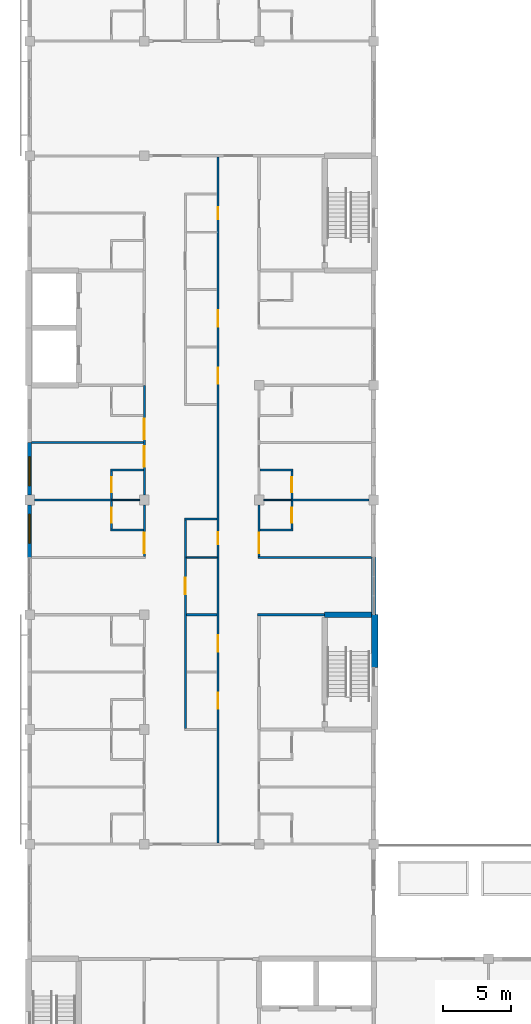
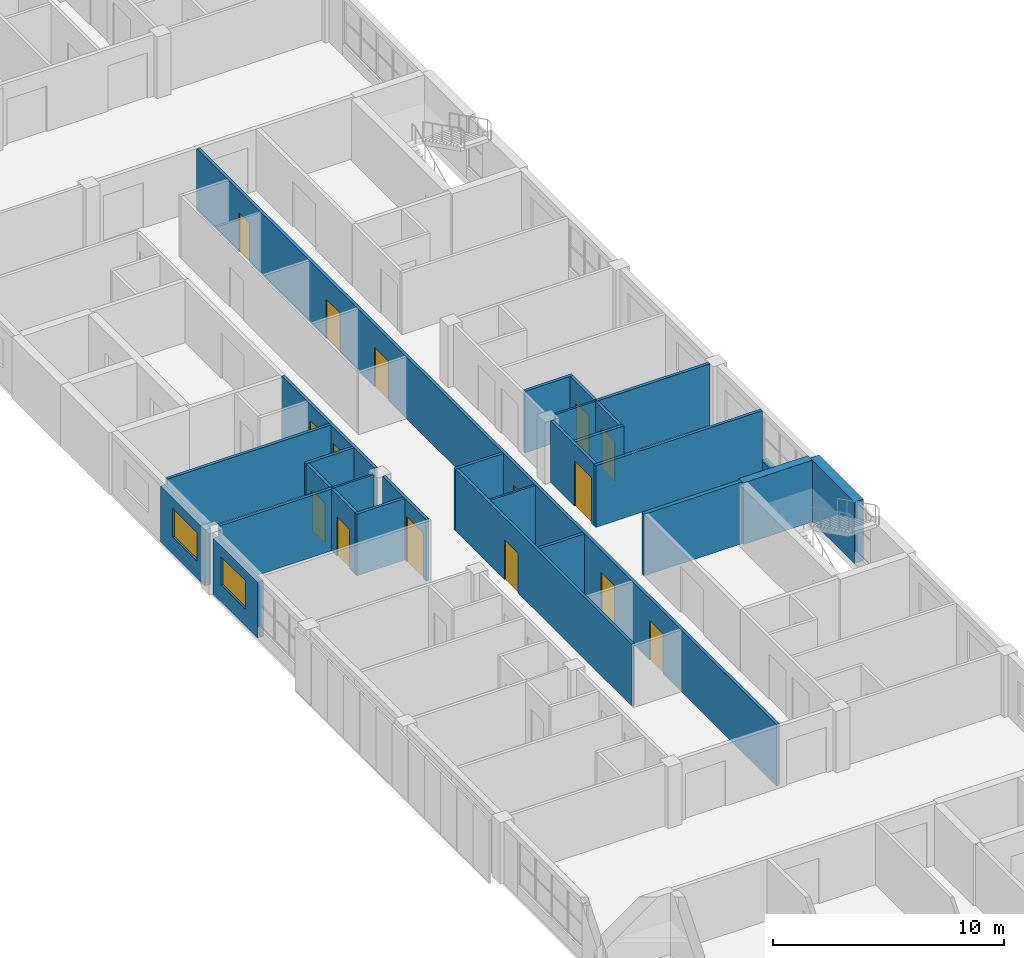
# One storey, part 32 of 61: 28 walls, 15 doors, 2 windows, 17 openings.
"""IFC4 building model written with IfcOpenShell, lengths in metres."""

from ifc_helpers import new_model, si_unit, direction, frame, frame_2d, origin, place, context, subcontext, project, spatial, rectangle, extrude, material, layer, layer_set, type_object, element, fill, save


model = new_model("IFC4")

# Units and contexts
model_context = context("Model", 3, precision=1e-05, world=origin(), true_north=direction((0.0, 1.0)))
body_context = subcontext(model_context, "Body", "Model", "MODEL_VIEW")
ifc_project = project(units=[si_unit("LENGTHUNIT", "METRE"), si_unit("AREAUNIT", "SQUARE_METRE"), si_unit("VOLUMEUNIT", "CUBIC_METRE"), si_unit("PLANEANGLEUNIT", "RADIAN"), si_unit("MASSUNIT", "GRAM", prefix="KILO")], contexts=[model_context])

# Site, building, storey
site_placement = place(None, origin())
site = spatial("IfcSite", under=ifc_project, at=site_placement, CompositionType="ELEMENT")
building_placement = place(site_placement, origin())
building = spatial("IfcBuilding", under=site, at=building_placement, Name="Yavir Park General Hospital", CompositionType="ELEMENT")
storey_placement = place(building_placement, frame((0.0, 0.0, 15.300048828125)))
storey = spatial("IfcBuildingStorey", under=building, at=storey_placement, Name="L03", CompositionType="ELEMENT", Elevation=15.300048828125)

# Walls
ifc_material_1 = material(Name="Double gypsum board fire partition on steel studs", Category="steel")
ifc_layer_1 = layer(ifc_material_1, 0.199951171875)
ifc_layer_set_1 = layer_set([ifc_layer_1], Name="Double gypsum board fire partition on steel studs")
wall_type_1 = type_object("IfcWallType", Name="Fire-rated partition 200, EI 60", PredefinedType="PARTITIONING", material=ifc_layer_set_1)
wall_1_placement = place(storey_placement, frame((16.699951171875, 50.39990234375, 0.0), z_axis=(0.0, 0.0, 1.0), x_axis=(1.0, 0.0, 0.0)))
element("IfcWall", 1, at=wall_1_placement, inside=storey, type_object=wall_type_1, Name="FP20 L03-083", PredefinedType="PARTITIONING", context=body_context, shape_type="SweptSolid", body=[
    extrude(rectangle(XDim=4.900146484375, YDim=0.199951171875, at=frame_2d((2.4501953125, 0.0))), origin(), (0.0, 0.0, 1.0), 3.260009765625),
])
ifc_material_2 = material(Name="Gypsum board partition on steel studs", Category="steel")
ifc_layer_2 = layer(ifc_material_2, 0.10009765625)
ifc_layer_set_2 = layer_set([ifc_layer_2], Name="Gypsum board partition on steel studs")
wall_type_2 = type_object("IfcWallType", Name="Gypsum board partition 100", PredefinedType="PARTITIONING", material=ifc_layer_set_2)
wall_2_placement = place(storey_placement, frame((11.47509765625, 54.60009765625, 0.0), z_axis=(0.0, 0.0, 1.0), x_axis=(1.0, 0.0, 0.0)))
element("IfcWall", 2, at=wall_2_placement, inside=storey, type_object=wall_type_2, Name="P10 L03-086", PredefinedType="PARTITIONING", context=body_context, shape_type="SweptSolid", body=[
    extrude(rectangle(XDim=2.25, YDim=0.10009765625, at=frame_2d((1.125, 0.0))), origin(), (0.0, 0.0, 1.0), 3.260009765625),
])
for number, where, z_axis, x_axis, name in (
    (3, (6.0, 58.800048828125, 0.0), (0.0, 0.0, 1.0), (1.0, 0.0, 0.0), "P10 L03-092"),
    (4, (17.14990234375, 58.800048828125, 0.0), (0.0, 0.0, 1.0), (1.0, 0.0, 0.0), "P10 L03-093"),
):
    element("IfcWall", number, at=place(storey_placement, frame(where, z_axis=z_axis, x_axis=x_axis)), inside=storey, type_object=wall_type_2, Name=name, PredefinedType="PARTITIONING", context=body_context, shape_type="SweptSolid", body=[
        extrude(rectangle(XDim=2.050048828125, YDim=0.10009765625, at=frame_2d((1.02490234375, 0.0))), origin(), (0.0, 0.0, 1.0), 3.260009765625),
    ])
ifc_material_3 = material(Name="Gypsum board partition on steel studs", Category="steel")
ifc_layer_3 = layer(ifc_material_3, 0.14990234375)
ifc_layer_set_3 = layer_set([ifc_layer_3], Name="Gypsum board partition on steel studs")
wall_type_3 = type_object("IfcWallType", Name="Gypsum board partition 150", PredefinedType="PARTITIONING", material=ifc_layer_set_3)
wall_3_placement = place(storey_placement, frame((11.47509765625, 50.39990234375, 0.0), z_axis=(0.0, 0.0, 1.0), x_axis=(1.0, 0.0, 0.0)))
element("IfcWall", 5, at=wall_3_placement, inside=storey, type_object=wall_type_3, Name="P15 L03-082", PredefinedType="PARTITIONING", context=body_context, shape_type="SweptSolid", body=[
    extrude(rectangle(XDim=2.25, YDim=0.14990234375, at=frame_2d((1.125, 0.0))), origin(), (0.0, 0.0, 1.0), 3.260009765625),
])
wall_4_placement = place(storey_placement, frame((16.72509765625, 54.60009765625, 0.0), z_axis=(0.0, 0.0, 1.0), x_axis=(1.0, 0.0, 0.0)))
element("IfcWall", 6, at=wall_4_placement, inside=storey, type_object=wall_type_3, Name="P15 L03-087", PredefinedType="PARTITIONING", context=body_context, shape_type="SweptSolid", body=[
    extrude(rectangle(XDim=8.324951171875, YDim=0.14990234375, at=frame_2d((4.16259765625, 0.0))), origin(), (0.0, 0.0, 1.0), 3.260009765625),
])
for number, where, z_axis, x_axis, name in (
    (7, (5.925048828125, 56.60009765625, 0.0), (0.0, 0.0, 1.0), (1.0, 0.0, 0.0), "P15 L03-088"),
    (8, (16.875, 56.60009765625, 0.0), (0.0, 0.0, 1.0), (1.0, 0.0, 0.0), "P15 L03-089"),
):
    element("IfcWall", number, at=place(storey_placement, frame(where, z_axis=z_axis, x_axis=x_axis)), inside=storey, type_object=wall_type_3, Name=name, PredefinedType="PARTITIONING", context=body_context, shape_type="SweptSolid", body=[
        extrude(rectangle(XDim=2.39990234375, YDim=0.14990234375, at=frame_2d((1.199951171875, 0.0))), origin(), (0.0, 0.0, 1.0), 3.260009765625),
    ])
wall_5_placement = place(storey_placement, frame((11.324951171875, 57.39990234375, 0.0), z_axis=(0.0, 0.0, 1.0), x_axis=(1.0, 0.0, 0.0)))
element("IfcWall", 9, at=wall_5_placement, inside=storey, type_object=wall_type_3, Name="P15 L03-090", PredefinedType="PARTITIONING", context=body_context, shape_type="SweptSolid", body=[
    extrude(rectangle(XDim=2.400146484375, YDim=0.14990234375, at=frame_2d((1.2001953125, 0.0))), origin(), (0.0, 0.0, 1.0), 3.260009765625),
])
wall_6_placement = place(storey_placement, frame((0.35009765625, 58.800048828125, 0.0), z_axis=(0.0, 0.0, 1.0), x_axis=(1.0, 0.0, 0.0)))
element("IfcWall", 10, at=wall_6_placement, inside=storey, type_object=wall_type_3, Name="P15 L03-091", PredefinedType="PARTITIONING", context=body_context, shape_type="SweptSolid", body=[
    extrude(rectangle(XDim=5.64990234375, YDim=0.14990234375, at=frame_2d((2.824951171875, 0.0))), origin(), (0.0, 0.0, 1.0), 3.260009765625),
])
wall_7_placement = place(storey_placement, frame((19.199951171875, 58.800048828125, 0.0), z_axis=(0.0, 0.0, 1.0), x_axis=(1.0, 0.0, 0.0)))
element("IfcWall", 11, at=wall_7_placement, inside=storey, type_object=wall_type_3, Name="P15 L03-094", PredefinedType="PARTITIONING", context=body_context, shape_type="SweptSolid", body=[
    extrude(rectangle(XDim=5.650146484375, YDim=0.14990234375, at=frame_2d((2.8251953125, 0.0))), origin(), (0.0, 0.0, 1.0), 3.260009765625),
])
for number, where, z_axis, x_axis, name in (
    (12, (5.925048828125, 61.0, 0.0), (0.0, 0.0, 1.0), (1.0, 0.0, 0.0), "P15 L03-095"),
    (13, (16.875, 61.0, 0.0), (0.0, 0.0, 1.0), (1.0, 0.0, 0.0), "P15 L03-096"),
):
    element("IfcWall", number, at=place(storey_placement, frame(where, z_axis=z_axis, x_axis=x_axis)), inside=storey, type_object=wall_type_3, Name=name, PredefinedType="PARTITIONING", context=body_context, shape_type="SweptSolid", body=[
        extrude(rectangle(XDim=2.39990234375, YDim=0.14990234375, at=frame_2d((1.199951171875, 0.0))), origin(), (0.0, 0.0, 1.0), 3.260009765625),
    ])
wall_8_placement = place(storey_placement, frame((0.14990234375, 63.0, 0.0), z_axis=(0.0, 0.0, 1.0), x_axis=(1.0, 0.0, 0.0)))
element("IfcWall", 14, at=wall_8_placement, inside=storey, type_object=wall_type_3, Name="P15 L03-097", PredefinedType="PARTITIONING", context=body_context, shape_type="SweptSolid", body=[
    extrude(rectangle(XDim=8.175048828125, YDim=0.14990234375, at=frame_2d((4.08740234375, 0.0))), origin(), (0.0, 0.0, 1.0), 3.260009765625),
])

# Wall, opening, door
wall_9_placement = place(storey_placement, frame((6.0, 56.675048828125, 0.0), z_axis=(0.0, 0.0, 1.0), x_axis=(0.0, 1.0, 0.0)))
wall_9 = element("IfcWall", 15, at=wall_9_placement, inside=storey, type_object=wall_type_3, Name="P15 L03-155", PredefinedType="PARTITIONING", context=body_context, shape_type="SweptSolid", body=[
    extrude(rectangle(XDim=2.050048828125, YDim=0.14990234375, at=frame_2d((1.02490234375, 0.0))), origin(), (0.0, 0.0, 1.0), 3.260009765625),
])
opening_1_placement = place(wall_9_placement, frame((0.47509765625, 0.0, 0.0)))
opening_1 = element("IfcOpeningElement", 16, at=opening_1_placement, cuts=wall_9, Name="Opening L03.D097", PredefinedType="OPENING", context=body_context, shape_type="SweptSolid", body=[
    extrude(rectangle(XDim=1.10009765625, YDim=2.10009765625, at=frame_2d((0.550048828125, 1.050048828125))), frame((0.0, 0.0849609375, 0.0), z_axis=(0.0, -1.0, 0.0), x_axis=(1.0, 0.0, 0.0)), (0.0, 0.0, 1.0), 0.169921875),
])
ifc_material_4 = material(Name="Hollow metal frame, solid-core timber leaf", Category="wood")
door_type_1 = type_object("IfcDoorType", Name="Single swing door 1100 x 2100", OperationType="SINGLE_SWING_LEFT", PredefinedType="DOOR", material=ifc_material_4)
door_1_placement = place(opening_1_placement, origin())
door_1 = element("IfcDoor", 17, at=door_1_placement, inside=storey, type_object=door_type_1, Name="L03.D097", OperationType="SINGLE_SWING_LEFT", OverallHeight=2.10009765625, OverallWidth=1.10009765625, PredefinedType="DOOR", context=body_context, shape_type="SweptSolid", body=[
    extrude(rectangle(XDim=1.10009765625, YDim=2.10009765625, at=frame_2d((0.550048828125, 1.050048828125))), frame((0.0, 0.02490234375, 0.0), z_axis=(0.0, -1.0, 0.0), x_axis=(1.0, 0.0, 0.0)), (0.0, 0.0, 1.0), 0.050048828125),
])
fill(opening_1, door_1)

wall_10_placement = place(storey_placement, frame((6.0, 58.875, 0.0), z_axis=(0.0, 0.0, 1.0), x_axis=(0.0, 1.0, 0.0)))
wall_10 = element("IfcWall", 18, at=wall_10_placement, inside=storey, type_object=wall_type_3, Name="P15 L03-156", PredefinedType="PARTITIONING", context=body_context, shape_type="SweptSolid", body=[
    extrude(rectangle(XDim=2.050048828125, YDim=0.14990234375, at=frame_2d((1.02490234375, 0.0))), origin(), (0.0, 0.0, 1.0), 3.260009765625),
])
opening_2_placement = place(wall_10_placement, frame((0.47509765625, 0.0, 0.0)))
opening_2 = element("IfcOpeningElement", 19, at=opening_2_placement, cuts=wall_10, Name="Opening L03.D098", PredefinedType="OPENING", context=body_context, shape_type="SweptSolid", body=[
    extrude(rectangle(XDim=1.10009765625, YDim=2.10009765625, at=frame_2d((0.550048828125, 1.050048828125))), frame((0.0, 0.0849609375, 0.0), z_axis=(0.0, -1.0, 0.0), x_axis=(1.0, 0.0, 0.0)), (0.0, 0.0, 1.0), 0.169921875),
])
door_2_placement = place(opening_2_placement, origin())
door_2 = element("IfcDoor", 20, at=door_2_placement, inside=storey, type_object=door_type_1, Name="L03.D098", OperationType="SINGLE_SWING_RIGHT", OverallHeight=2.10009765625, OverallWidth=1.10009765625, PredefinedType="DOOR", context=body_context, shape_type="SweptSolid", body=[
    extrude(rectangle(XDim=1.10009765625, YDim=2.10009765625, at=frame_2d((0.550048828125, 1.050048828125))), frame((0.0, 0.02490234375, 0.0), z_axis=(0.0, -1.0, 0.0), x_axis=(1.0, 0.0, 0.0)), (0.0, 0.0, 1.0), 0.050048828125),
])
fill(opening_2, door_2)

wall_11_placement = place(storey_placement, frame((8.39990234375, 54.675048828125, 0.0), z_axis=(0.0, 0.0, 1.0), x_axis=(0.0, 1.0, 0.0)))
wall_11 = element("IfcWall", 21, at=wall_11_placement, inside=storey, type_object=wall_type_3, Name="P15 L03-170", PredefinedType="PARTITIONING", context=body_context, shape_type="SweptSolid", body=[
    extrude(rectangle(XDim=3.77490234375, YDim=0.14990234375, at=frame_2d((1.887451171875, 0.0))), origin(), (0.0, 0.0, 1.0), 3.260009765625),
])
opening_3_placement = place(wall_11_placement, frame((0.21240234375, 0.0, 0.0)))
opening_3 = element("IfcOpeningElement", 22, at=opening_3_placement, cuts=wall_11, Name="Opening L03.D109", PredefinedType="OPENING", context=body_context, shape_type="SweptSolid", body=[
    extrude(rectangle(XDim=1.5, YDim=2.39990234375, at=frame_2d((0.75, 1.199951171875))), frame((0.0, 0.0849609375, 0.0), z_axis=(0.0, -1.0, 0.0), x_axis=(1.0, 0.0, 0.0)), (0.0, 0.0, 1.0), 0.169921875),
])
ifc_material_5 = material(Name="Solid-core timber leaves, push plates, kick plates", Category="wood")
door_type_2 = type_object("IfcDoorType", Name="Bed door, unequal leaves 1500 x 2400", OperationType="DOUBLE_DOOR_SINGLE_SWING", PredefinedType="DOOR", material=ifc_material_5)
door_3_placement = place(opening_3_placement, origin())
door_3 = element("IfcDoor", 23, at=door_3_placement, inside=storey, type_object=door_type_2, Name="L03.D109", OperationType="SINGLE_SWING_LEFT", OverallHeight=2.39990234375, OverallWidth=1.5, PredefinedType="DOOR", context=body_context, shape_type="SweptSolid", body=[
    extrude(rectangle(XDim=1.5, YDim=2.39990234375, at=frame_2d((0.75, 1.199951171875))), frame((0.0, 0.030029296875, 0.0), z_axis=(0.0, -1.0, 0.0), x_axis=(1.0, 0.0, 0.0)), (0.0, 0.0, 1.0), 0.06005859375),
])
fill(opening_3, door_3)

# Wall, openings, doors
wall_12_placement = place(storey_placement, frame((8.39990234375, 59.14990234375, 0.0), z_axis=(0.0, 0.0, 1.0), x_axis=(0.0, 1.0, 0.0)))
wall_12 = element("IfcWall", 24, at=wall_12_placement, inside=storey, type_object=wall_type_3, Name="P15 L03-171", PredefinedType="PARTITIONING", context=body_context, shape_type="SweptSolid", body=[
    extrude(rectangle(XDim=8.050048828125, YDim=0.14990234375, at=frame_2d((4.02490234375, 0.0))), origin(), (0.0, 0.0, 1.0), 3.260009765625),
])
opening_4_placement = place(wall_12_placement, frame((2.10009765625, 0.0, 0.0)))
opening_4 = element("IfcOpeningElement", 25, at=opening_4_placement, cuts=wall_12, Name="Opening L03.D110", PredefinedType="OPENING", context=body_context, shape_type="SweptSolid", body=[
    extrude(rectangle(XDim=1.5, YDim=2.39990234375, at=frame_2d((0.75, 1.199951171875))), frame((0.0, 0.0849609375, 0.0), z_axis=(0.0, -1.0, 0.0), x_axis=(1.0, 0.0, 0.0)), (0.0, 0.0, 1.0), 0.169921875),
])
opening_5_placement = place(wall_12_placement, frame((4.10009765625, 0.0, 0.0)))
opening_5 = element("IfcOpeningElement", 26, at=opening_5_placement, cuts=wall_12, Name="Opening L03.D111", PredefinedType="OPENING", context=body_context, shape_type="SweptSolid", body=[
    extrude(rectangle(XDim=1.5, YDim=2.39990234375, at=frame_2d((0.75, 1.199951171875))), frame((0.0, 0.0849609375, 0.0), z_axis=(0.0, -1.0, 0.0), x_axis=(1.0, 0.0, 0.0)), (0.0, 0.0, 1.0), 0.169921875),
])
door_4_placement = place(opening_4_placement, origin())
door_4 = element("IfcDoor", 27, at=door_4_placement, inside=storey, type_object=door_type_2, Name="L03.D110", OperationType="SINGLE_SWING_RIGHT", OverallHeight=2.39990234375, OverallWidth=1.5, PredefinedType="DOOR", context=body_context, shape_type="SweptSolid", body=[
    extrude(rectangle(XDim=1.5, YDim=2.39990234375, at=frame_2d((0.75, 1.199951171875))), frame((0.0, 0.030029296875, 0.0), z_axis=(0.0, -1.0, 0.0), x_axis=(1.0, 0.0, 0.0)), (0.0, 0.0, 1.0), 0.06005859375),
])
fill(opening_4, door_4)
door_5_placement = place(opening_5_placement, origin())
door_5 = element("IfcDoor", 28, at=door_5_placement, inside=storey, type_object=door_type_2, Name="L03.D111", OperationType="SINGLE_SWING_RIGHT", OverallHeight=2.39990234375, OverallWidth=1.5, PredefinedType="DOOR", context=body_context, shape_type="SweptSolid", body=[
    extrude(rectangle(XDim=1.5, YDim=2.39990234375, at=frame_2d((0.75, 1.199951171875))), frame((0.0, 0.030029296875, 0.0), z_axis=(0.0, -1.0, 0.0), x_axis=(1.0, 0.0, 0.0)), (0.0, 0.0, 1.0), 0.06005859375),
])
fill(opening_5, door_5)

# Wall, opening, door
wall_13_placement = place(storey_placement, frame((11.39990234375, 42.074951171875, 0.0), z_axis=(0.0, 0.0, 1.0), x_axis=(0.0, 1.0, 0.0)))
wall_13 = element("IfcWall", 29, at=wall_13_placement, inside=storey, type_object=wall_type_3, Name="P15 L03-179", PredefinedType="PARTITIONING", context=body_context, shape_type="SweptSolid", body=[
    extrude(rectangle(XDim=15.25, YDim=0.14990234375, at=frame_2d((7.625, 0.0))), origin(), (0.0, 0.0, 1.0), 3.260009765625),
])
opening_6_placement = place(wall_13_placement, frame((9.824951171875, 0.0, 0.0)))
opening_6 = element("IfcOpeningElement", 30, at=opening_6_placement, cuts=wall_13, Name="Opening L03.D119", PredefinedType="OPENING", context=body_context, shape_type="SweptSolid", body=[
    extrude(rectangle(XDim=1.199951171875, YDim=2.10009765625, at=frame_2d((0.60009765625, 1.050048828125))), frame((0.0, 0.0849609375, 0.0), z_axis=(0.0, -1.0, 0.0), x_axis=(1.0, 0.0, 0.0)), (0.0, 0.0, 1.0), 0.169921875),
])
ifc_material_6 = material(Name="Hollow metal frame, solid-core timber leaf", Category="wood")
door_type_3 = type_object("IfcDoorType", Name="Single swing door 1200 x 2100", OperationType="SINGLE_SWING_LEFT", PredefinedType="DOOR", material=ifc_material_6)
door_6_placement = place(opening_6_placement, origin())
door_6 = element("IfcDoor", 31, at=door_6_placement, inside=storey, type_object=door_type_3, Name="L03.D119", OperationType="SINGLE_SWING_LEFT", OverallHeight=2.10009765625, OverallWidth=1.199951171875, PredefinedType="DOOR", context=body_context, shape_type="SweptSolid", body=[
    extrude(rectangle(XDim=1.199951171875, YDim=2.10009765625, at=frame_2d((0.60009765625, 1.050048828125))), frame((0.0, 0.02490234375, 0.0), z_axis=(0.0, -1.0, 0.0), x_axis=(1.0, 0.0, 0.0)), (0.0, 0.0, 1.0), 0.050048828125),
])
fill(opening_6, door_6)

# Wall, openings, doors
wall_14_placement = place(storey_placement, frame((13.800048828125, 33.699951171875, 0.0), z_axis=(0.0, 0.0, 1.0), x_axis=(0.0, 1.0, 0.0)))
wall_14 = element("IfcWall", 32, at=wall_14_placement, inside=storey, type_object=wall_type_3, Name="P15 L03-184", PredefinedType="PARTITIONING", context=body_context, shape_type="SweptSolid", body=[
    extrude(rectangle(XDim=50.199951171875, YDim=0.14990234375, at=frame_2d((25.10009765625, 0.0))), origin(), (0.0, 0.0, 1.0), 3.260009765625),
])
opening_7_placement = place(wall_14_placement, frame((9.800048828125, 0.0, 0.0)))
opening_7 = element("IfcOpeningElement", 33, at=opening_7_placement, cuts=wall_14, Name="Opening L03.D123", PredefinedType="OPENING", context=body_context, shape_type="SweptSolid", body=[
    extrude(rectangle(XDim=1.199951171875, YDim=2.10009765625, at=frame_2d((0.60009765625, 1.050048828125))), frame((0.0, 0.0849609375, 0.0), z_axis=(0.0, -1.0, 0.0), x_axis=(1.0, 0.0, 0.0)), (0.0, 0.0, 1.0), 0.169921875),
])
opening_8_placement = place(wall_14_placement, frame((14.0, 0.0, 0.0)))
opening_8 = element("IfcOpeningElement", 34, at=opening_8_placement, cuts=wall_14, Name="Opening L03.D124", PredefinedType="OPENING", context=body_context, shape_type="SweptSolid", body=[
    extrude(rectangle(XDim=1.199951171875, YDim=2.10009765625, at=frame_2d((0.60009765625, 1.050048828125))), frame((0.0, 0.0849609375, 0.0), z_axis=(0.0, -1.0, 0.0), x_axis=(1.0, 0.0, 0.0)), (0.0, 0.0, 1.0), 0.169921875),
])
opening_9_placement = place(wall_14_placement, frame((21.85009765625, 0.0, 0.0)))
opening_9 = element("IfcOpeningElement", 35, at=opening_9_placement, cuts=wall_14, Name="Opening L03.D125", PredefinedType="OPENING", context=body_context, shape_type="SweptSolid", body=[
    extrude(rectangle(XDim=0.89990234375, YDim=2.10009765625, at=frame_2d((0.449951171875, 1.050048828125))), frame((0.0, 0.0849609375, 0.0), z_axis=(0.0, -1.0, 0.0), x_axis=(1.0, 0.0, 0.0)), (0.0, 0.0, 1.0), 0.169921875),
])
opening_10_placement = place(wall_14_placement, frame((33.60009765625, 0.0, 0.0)))
opening_10 = element("IfcOpeningElement", 36, at=opening_10_placement, cuts=wall_14, Name="Opening L03.D126", PredefinedType="OPENING", context=body_context, shape_type="SweptSolid", body=[
    extrude(rectangle(XDim=1.199951171875, YDim=2.10009765625, at=frame_2d((0.60009765625, 1.050048828125))), frame((0.0, 0.0849609375, 0.0), z_axis=(0.0, -1.0, 0.0), x_axis=(1.0, 0.0, 0.0)), (0.0, 0.0, 1.0), 0.169921875),
])
opening_11_placement = place(wall_14_placement, frame((37.800048828125, 0.0, 0.0)))
opening_11 = element("IfcOpeningElement", 37, at=opening_11_placement, cuts=wall_14, Name="Opening L03.D127", PredefinedType="OPENING", context=body_context, shape_type="SweptSolid", body=[
    extrude(rectangle(XDim=1.199951171875, YDim=2.10009765625, at=frame_2d((0.60009765625, 1.050048828125))), frame((0.0, 0.0849609375, 0.0), z_axis=(0.0, -1.0, 0.0), x_axis=(1.0, 0.0, 0.0)), (0.0, 0.0, 1.0), 0.169921875),
])
opening_12_placement = place(wall_14_placement, frame((45.64990234375, 0.0, 0.0)))
opening_12 = element("IfcOpeningElement", 38, at=opening_12_placement, cuts=wall_14, Name="Opening L03.D128", PredefinedType="OPENING", context=body_context, shape_type="SweptSolid", body=[
    extrude(rectangle(XDim=0.89990234375, YDim=2.10009765625, at=frame_2d((0.449951171875, 1.050048828125))), frame((0.0, 0.0849609375, 0.0), z_axis=(0.0, -1.0, 0.0), x_axis=(1.0, 0.0, 0.0)), (0.0, 0.0, 1.0), 0.169921875),
])
ifc_material_7 = material(Name="Timber frame, hollow-core leaf", Category="wood")
door_type_4 = type_object("IfcDoorType", Name="Light cupboard door 900 x 2100", OperationType="SINGLE_SWING_LEFT", PredefinedType="DOOR", material=ifc_material_7)
door_7_placement = place(opening_9_placement, origin())
door_7 = element("IfcDoor", 39, at=door_7_placement, inside=storey, type_object=door_type_4, Name="L03.D125", OperationType="SINGLE_SWING_RIGHT", OverallHeight=2.10009765625, OverallWidth=0.89990234375, PredefinedType="DOOR", context=body_context, shape_type="SweptSolid", body=[
    extrude(rectangle(XDim=0.89990234375, YDim=2.10009765625, at=frame_2d((0.449951171875, 1.050048828125))), frame((0.0, 0.02001953125, 0.0), z_axis=(0.0, -1.0, 0.0), x_axis=(1.0, 0.0, 0.0)), (0.0, 0.0, 1.0), 0.0400390625),
])
fill(opening_9, door_7)
door_8_placement = place(opening_12_placement, origin())
door_8 = element("IfcDoor", 40, at=door_8_placement, inside=storey, type_object=door_type_4, Name="L03.D128", OperationType="SINGLE_SWING_RIGHT", OverallHeight=2.10009765625, OverallWidth=0.89990234375, PredefinedType="DOOR", context=body_context, shape_type="SweptSolid", body=[
    extrude(rectangle(XDim=0.89990234375, YDim=2.10009765625, at=frame_2d((0.449951171875, 1.050048828125))), frame((0.0, 0.02001953125, 0.0), z_axis=(0.0, -1.0, 0.0), x_axis=(1.0, 0.0, 0.0)), (0.0, 0.0, 1.0), 0.0400390625),
])
fill(opening_12, door_8)
door_9_placement = place(opening_7_placement, origin())
door_9 = element("IfcDoor", 41, at=door_9_placement, inside=storey, type_object=door_type_3, Name="L03.D123", OperationType="SINGLE_SWING_RIGHT", OverallHeight=2.10009765625, OverallWidth=1.199951171875, PredefinedType="DOOR", context=body_context, shape_type="SweptSolid", body=[
    extrude(rectangle(XDim=1.199951171875, YDim=2.10009765625, at=frame_2d((0.60009765625, 1.050048828125))), frame((0.0, 0.02490234375, 0.0), z_axis=(0.0, -1.0, 0.0), x_axis=(1.0, 0.0, 0.0)), (0.0, 0.0, 1.0), 0.050048828125),
])
fill(opening_7, door_9)
door_10_placement = place(opening_8_placement, origin())
door_10 = element("IfcDoor", 42, at=door_10_placement, inside=storey, type_object=door_type_3, Name="L03.D124", OperationType="SINGLE_SWING_RIGHT", OverallHeight=2.10009765625, OverallWidth=1.199951171875, PredefinedType="DOOR", context=body_context, shape_type="SweptSolid", body=[
    extrude(rectangle(XDim=1.199951171875, YDim=2.10009765625, at=frame_2d((0.60009765625, 1.050048828125))), frame((0.0, 0.02490234375, 0.0), z_axis=(0.0, -1.0, 0.0), x_axis=(1.0, 0.0, 0.0)), (0.0, 0.0, 1.0), 0.050048828125),
])
fill(opening_8, door_10)
door_11_placement = place(opening_10_placement, origin())
door_11 = element("IfcDoor", 43, at=door_11_placement, inside=storey, type_object=door_type_3, Name="L03.D126", OperationType="SINGLE_SWING_RIGHT", OverallHeight=2.10009765625, OverallWidth=1.199951171875, PredefinedType="DOOR", context=body_context, shape_type="SweptSolid", body=[
    extrude(rectangle(XDim=1.199951171875, YDim=2.10009765625, at=frame_2d((0.60009765625, 1.050048828125))), frame((0.0, 0.02490234375, 0.0), z_axis=(0.0, -1.0, 0.0), x_axis=(1.0, 0.0, 0.0)), (0.0, 0.0, 1.0), 0.050048828125),
])
fill(opening_10, door_11)
door_12_placement = place(opening_11_placement, origin())
door_12 = element("IfcDoor", 44, at=door_12_placement, inside=storey, type_object=door_type_3, Name="L03.D127", OperationType="SINGLE_SWING_RIGHT", OverallHeight=2.10009765625, OverallWidth=1.199951171875, PredefinedType="DOOR", context=body_context, shape_type="SweptSolid", body=[
    extrude(rectangle(XDim=1.199951171875, YDim=2.10009765625, at=frame_2d((0.60009765625, 1.050048828125))), frame((0.0, 0.02490234375, 0.0), z_axis=(0.0, -1.0, 0.0), x_axis=(1.0, 0.0, 0.0)), (0.0, 0.0, 1.0), 0.050048828125),
])
fill(opening_11, door_12)

# Wall, opening, door
wall_15_placement = place(storey_placement, frame((16.800048828125, 54.675048828125, 0.0), z_axis=(0.0, 0.0, 1.0), x_axis=(0.0, 1.0, 0.0)))
wall_15 = element("IfcWall", 45, at=wall_15_placement, inside=storey, type_object=wall_type_3, Name="P15 L03-193", PredefinedType="PARTITIONING", context=body_context, shape_type="SweptSolid", body=[
    extrude(rectangle(XDim=3.77490234375, YDim=0.14990234375, at=frame_2d((1.887451171875, 0.0))), origin(), (0.0, 0.0, 1.0), 3.260009765625),
])
opening_13_placement = place(wall_15_placement, frame((0.21240234375, 0.0, 0.0)))
opening_13 = element("IfcOpeningElement", 46, at=opening_13_placement, cuts=wall_15, Name="Opening L03.D134", PredefinedType="OPENING", context=body_context, shape_type="SweptSolid", body=[
    extrude(rectangle(XDim=1.5, YDim=2.39990234375, at=frame_2d((0.75, 1.199951171875))), frame((0.0, 0.0849609375, 0.0), z_axis=(0.0, -1.0, 0.0), x_axis=(1.0, 0.0, 0.0)), (0.0, 0.0, 1.0), 0.169921875),
])
door_13_placement = place(opening_13_placement, origin())
door_13 = element("IfcDoor", 47, at=door_13_placement, inside=storey, type_object=door_type_2, Name="L03.D134", OperationType="SINGLE_SWING_RIGHT", OverallHeight=2.39990234375, OverallWidth=1.5, PredefinedType="DOOR", context=body_context, shape_type="SweptSolid", body=[
    extrude(rectangle(XDim=1.5, YDim=2.39990234375, at=frame_2d((0.75, 1.199951171875))), frame((0.0, 0.030029296875, 0.0), z_axis=(0.0, -1.0, 0.0), x_axis=(1.0, 0.0, 0.0)), (0.0, 0.0, 1.0), 0.06005859375),
])
fill(opening_13, door_13)

wall_16_placement = place(storey_placement, frame((19.199951171875, 56.675048828125, 0.0), z_axis=(0.0, 0.0, 1.0), x_axis=(0.0, 1.0, 0.0)))
wall_16 = element("IfcWall", 48, at=wall_16_placement, inside=storey, type_object=wall_type_3, Name="P15 L03-202", PredefinedType="PARTITIONING", context=body_context, shape_type="SweptSolid", body=[
    extrude(rectangle(XDim=2.050048828125, YDim=0.14990234375, at=frame_2d((1.02490234375, 0.0))), origin(), (0.0, 0.0, 1.0), 3.260009765625),
])
opening_14_placement = place(wall_16_placement, frame((0.47509765625, 0.0, 0.0)))
opening_14 = element("IfcOpeningElement", 49, at=opening_14_placement, cuts=wall_16, Name="Opening L03.D145", PredefinedType="OPENING", context=body_context, shape_type="SweptSolid", body=[
    extrude(rectangle(XDim=1.10009765625, YDim=2.10009765625, at=frame_2d((0.550048828125, 1.050048828125))), frame((0.0, 0.0849609375, 0.0), z_axis=(0.0, -1.0, 0.0), x_axis=(1.0, 0.0, 0.0)), (0.0, 0.0, 1.0), 0.169921875),
])
door_14_placement = place(opening_14_placement, origin())
door_14 = element("IfcDoor", 50, at=door_14_placement, inside=storey, type_object=door_type_1, Name="L03.D145", OperationType="SINGLE_SWING_RIGHT", OverallHeight=2.10009765625, OverallWidth=1.10009765625, PredefinedType="DOOR", context=body_context, shape_type="SweptSolid", body=[
    extrude(rectangle(XDim=1.10009765625, YDim=2.10009765625, at=frame_2d((0.550048828125, 1.050048828125))), frame((0.0, 0.02490234375, 0.0), z_axis=(0.0, -1.0, 0.0), x_axis=(1.0, 0.0, 0.0)), (0.0, 0.0, 1.0), 0.050048828125),
])
fill(opening_14, door_14)

wall_17_placement = place(storey_placement, frame((19.199951171875, 58.875, 0.0), z_axis=(0.0, 0.0, 1.0), x_axis=(0.0, 1.0, 0.0)))
wall_17 = element("IfcWall", 51, at=wall_17_placement, inside=storey, type_object=wall_type_3, Name="P15 L03-203", PredefinedType="PARTITIONING", context=body_context, shape_type="SweptSolid", body=[
    extrude(rectangle(XDim=2.050048828125, YDim=0.14990234375, at=frame_2d((1.02490234375, 0.0))), origin(), (0.0, 0.0, 1.0), 3.260009765625),
])
opening_15_placement = place(wall_17_placement, frame((0.47509765625, 0.0, 0.0)))
opening_15 = element("IfcOpeningElement", 52, at=opening_15_placement, cuts=wall_17, Name="Opening L03.D146", PredefinedType="OPENING", context=body_context, shape_type="SweptSolid", body=[
    extrude(rectangle(XDim=1.10009765625, YDim=2.10009765625, at=frame_2d((0.550048828125, 1.050048828125))), frame((0.0, 0.0849609375, 0.0), z_axis=(0.0, -1.0, 0.0), x_axis=(1.0, 0.0, 0.0)), (0.0, 0.0, 1.0), 0.169921875),
])
door_15_placement = place(opening_15_placement, origin())
door_15 = element("IfcDoor", 53, at=door_15_placement, inside=storey, type_object=door_type_1, Name="L03.D146", OperationType="SINGLE_SWING_LEFT", OverallHeight=2.10009765625, OverallWidth=1.10009765625, PredefinedType="DOOR", context=body_context, shape_type="SweptSolid", body=[
    extrude(rectangle(XDim=1.10009765625, YDim=2.10009765625, at=frame_2d((0.550048828125, 1.050048828125))), frame((0.0, 0.02490234375, 0.0), z_axis=(0.0, -1.0, 0.0), x_axis=(1.0, 0.0, 0.0)), (0.0, 0.0, 1.0), 0.050048828125),
])
fill(opening_15, door_15)

# Wall, opening, window
ifc_material_8 = material(Name="Autoclaved aerated block, mineral wool and ochre mineral render")
ifc_layer_4 = layer(ifc_material_8, 0.300048828125)
ifc_layer_set_4 = layer_set([ifc_layer_4], Name="Autoclaved aerated block, mineral wool and ochre mineral render")
wall_type_4 = type_object("IfcWallType", Name="Ochre render ward wall 300, E 30", PredefinedType="SOLIDWALL", material=ifc_layer_set_4)
wall_18_placement = place(storey_placement, frame((0.0, 54.60009765625, 0.0), z_axis=(0.0, 0.0, 1.0), x_axis=(0.0, 1.0, 0.0)))
wall_18 = element("IfcWall", 54, at=wall_18_placement, inside=storey, type_object=wall_type_4, Name="XW7 L03-108", PredefinedType="SOLIDWALL", context=body_context, shape_type="SweptSolid", body=[
    extrude(rectangle(XDim=3.849853515625, YDim=0.300048828125, at=frame_2d((1.9248046875, 0.0))), origin(), (0.0, 0.0, 1.0), 2.9599609375),
])
opening_16_placement = place(wall_18_placement, frame((1.050048828125, 0.0, 0.89990234375)))
opening_16 = element("IfcOpeningElement", 55, at=opening_16_placement, cuts=wall_18, Name="Opening WAR", PredefinedType="OPENING", context=body_context, shape_type="SweptSolid", body=[
    extrude(rectangle(XDim=2.10009765625, YDim=1.5, at=frame_2d((1.050048828125, 0.75))), frame((0.0, 0.159912109375, 0.0), z_axis=(0.0, -1.0, 0.0), x_axis=(1.0, 0.0, 0.0)), (0.0, 0.0, 1.0), 0.320068359375),
])
ifc_material_9 = material(Name="Aluminium frame, tilt-and-turn sash with opening restrictor, double glazed unit", Category="aluminium")
window_type = type_object("IfcWindowType", Name="Ward window, restricted opening 2100 x 1500", PartitioningType="DOUBLE_PANEL_VERTICAL", PredefinedType="WINDOW", material=ifc_material_9)
window_1_placement = place(opening_16_placement, origin())
window_1 = element("IfcWindow", 56, at=window_1_placement, inside=storey, type_object=window_type, Name="WAR L03-052", OverallHeight=1.5, OverallWidth=2.10009765625, PartitioningType="DOUBLE_PANEL_VERTICAL", PredefinedType="WINDOW", context=body_context, shape_type="SweptSolid", body=[
    extrude(rectangle(XDim=2.10009765625, YDim=1.5, at=frame_2d((1.050048828125, 0.75))), frame((0.0, 0.050048828125, 0.0), z_axis=(0.0, -1.0, 0.0), x_axis=(1.0, 0.0, 0.0)), (0.0, 0.0, 1.0), 0.10009765625),
])
fill(opening_16, window_1)

wall_19_placement = place(storey_placement, frame((0.0, 59.14990234375, 0.0), z_axis=(0.0, 0.0, 1.0), x_axis=(0.0, 1.0, 0.0)))
wall_19 = element("IfcWall", 57, at=wall_19_placement, inside=storey, type_object=wall_type_4, Name="XW7 L03-109", PredefinedType="SOLIDWALL", context=body_context, shape_type="SweptSolid", body=[
    extrude(rectangle(XDim=3.85009765625, YDim=0.300048828125, at=frame_2d((1.925048828125, 0.0))), origin(), (0.0, 0.0, 1.0), 2.9599609375),
])
opening_17_placement = place(wall_19_placement, frame((0.699951171875, 0.0, 0.89990234375)))
opening_17 = element("IfcOpeningElement", 58, at=opening_17_placement, cuts=wall_19, Name="Opening WAR", PredefinedType="OPENING", context=body_context, shape_type="SweptSolid", body=[
    extrude(rectangle(XDim=2.10009765625, YDim=1.5, at=frame_2d((1.050048828125, 0.75))), frame((0.0, 0.159912109375, 0.0), z_axis=(0.0, -1.0, 0.0), x_axis=(1.0, 0.0, 0.0)), (0.0, 0.0, 1.0), 0.320068359375),
])
window_2_placement = place(opening_17_placement, origin())
window_2 = element("IfcWindow", 59, at=window_2_placement, inside=storey, type_object=window_type, Name="WAR L03-053", OverallHeight=1.5, OverallWidth=2.10009765625, PartitioningType="DOUBLE_PANEL_VERTICAL", PredefinedType="WINDOW", context=body_context, shape_type="SweptSolid", body=[
    extrude(rectangle(XDim=2.10009765625, YDim=1.5, at=frame_2d((1.050048828125, 0.75))), frame((0.0, 0.050048828125, 0.0), z_axis=(0.0, -1.0, 0.0), x_axis=(1.0, 0.0, 0.0)), (0.0, 0.0, 1.0), 0.10009765625),
])
fill(opening_17, window_2)

# Walls
wall_20_placement = place(storey_placement, frame((25.199951171875, 50.39990234375, 0.0), z_axis=(0.0, 0.0, 1.0), x_axis=(0.0, 1.0, 0.0)))
element("IfcWall", 60, at=wall_20_placement, inside=storey, type_object=wall_type_4, Name="XW7 L03-130", PredefinedType="SOLIDWALL", context=body_context, shape_type="SweptSolid", body=[
    extrude(rectangle(XDim=4.2001953125, YDim=0.300048828125, at=frame_2d((2.10009765625, 0.0))), origin(), (0.0, 0.0, 1.0), 0.599853515625),
])
ifc_material_10 = material(Name="Concrete C35/45", Category="concrete")
ifc_layer_5 = layer(ifc_material_10, 0.39990234375)
ifc_layer_set_5 = layer_set([ifc_layer_5], Name="Concrete C35/45")
wall_type_5 = type_object("IfcWallType", Name="Reinforced concrete core wall 400, REI 150", PredefinedType="SHEAR", material=ifc_layer_set_5)
wall_21_placement = place(storey_placement, frame((21.60009765625, 50.39990234375, 0.0), z_axis=(0.0, 0.0, 1.0), x_axis=(1.0, 0.0, 0.0)))
element("IfcWall", 61, at=wall_21_placement, inside=storey, type_object=wall_type_5, Name="CW40 L03-084", PredefinedType="SHEAR", context=body_context, shape_type="SweptSolid", body=[
    extrude(rectangle(XDim=3.449951171875, YDim=0.39990234375, at=frame_2d((1.72509765625, 0.0))), origin(), (0.0, 0.0, 1.0), 3.260009765625),
])
ifc_material_11 = material(Name="Concrete C30/37 precast panel with 150 mm mineral wool insulation", Category="concrete")
ifc_layer_6 = layer(ifc_material_11, 0.449951171875)
ifc_layer_set_6 = layer_set([ifc_layer_6], Name="Concrete C30/37 precast panel with 150 mm mineral wool insulation")
wall_type_6 = type_object("IfcWallType", Name="Stair enclosure wall 450, REI 150", PredefinedType="SOLIDWALL", material=ifc_layer_set_6)
wall_22_placement = place(storey_placement, frame((25.27490234375, 46.550048828125, 0.0), z_axis=(0.0, 0.0, 1.0), x_axis=(0.0, 1.0, 0.0)))
element("IfcWall", 62, at=wall_22_placement, inside=storey, type_object=wall_type_6, Name="XW6 L03-128", PredefinedType="SOLIDWALL", context=body_context, shape_type="SweptSolid", body=[
    extrude(rectangle(XDim=3.849853515625, YDim=0.449951171875, at=frame_2d((1.9248046875, 0.0))), origin(), (0.0, 0.0, 1.0), 3.260009765625),
])

save(model, "model.ifc")
